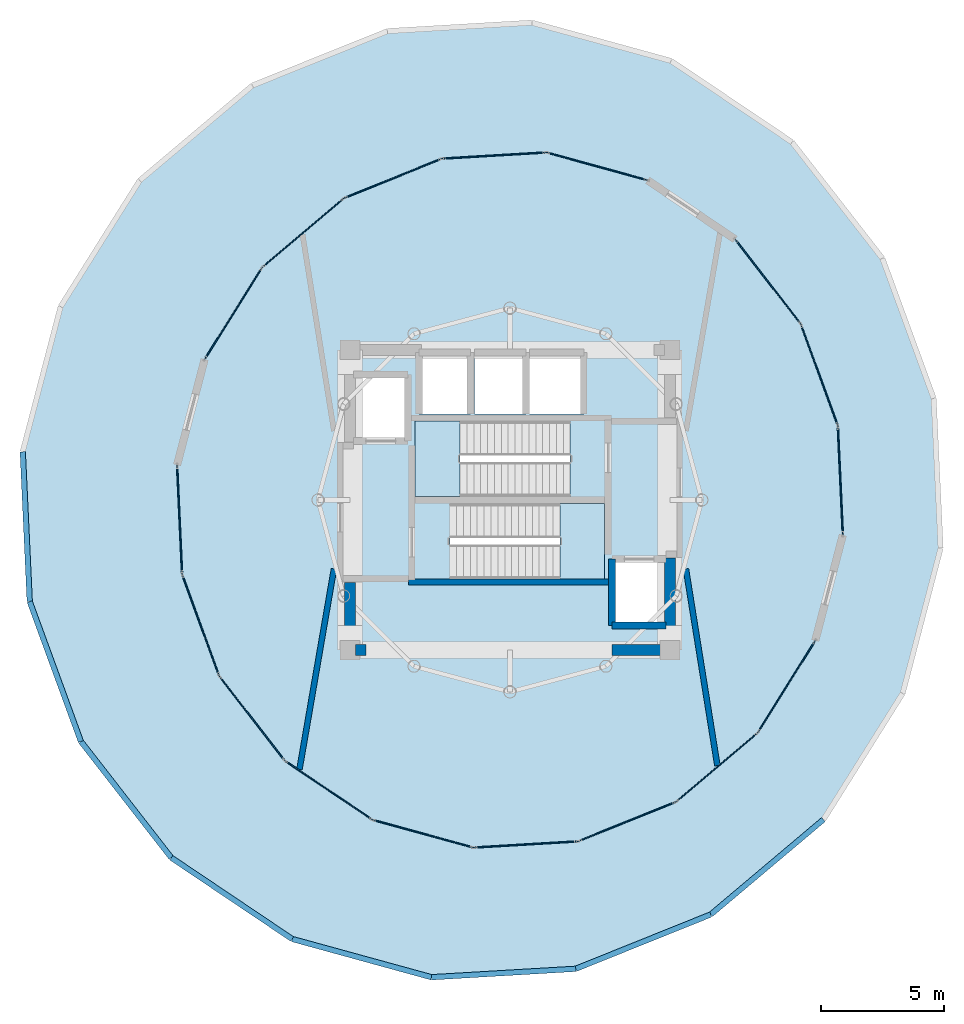
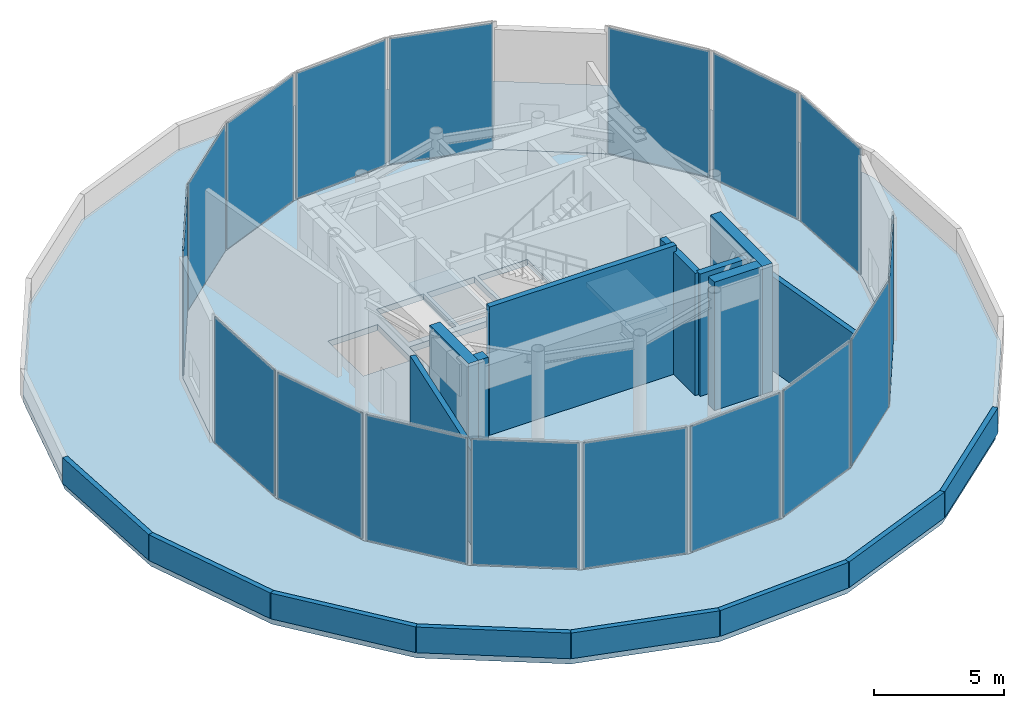
# One storey, part 9 of 12: 17 plates, 17 walls, 4 slabs, 19 elements without a shape of their own.
"""IFC4 building model written with IfcOpenShell, lengths in metres."""

import ifcopenshell
import ifcopenshell.guid

model = None  # the IFC model being written
_history = None  # IfcOwnerHistory: only IFC2X3 demands one
_inside = {}  # id of a spatial element -> (the spatial element, [elements in it])
_under = {}  # id of a project, library or spatial element -> (it, [spatial elements below it])
_declared = {}  # id of a project -> (the project, [libraries it declares])
_typed = {}  # id of a type object -> (the type object, [elements of that type])
_made_of = {}  # id of a material, layer set ... -> (it, [elements and type objects made of it])


def new_model(schema):
    """Start an empty IFC model of exactly this schema.

    Asked for "IFC4X3", IfcOpenShell would pick the latest addendum, in which some entities
    have other attributes; the version numbers below select the first issue.
    IFC2X3 requires an IfcOwnerHistory on every rooted entity: one is made here for all.
    """
    global model, _history
    if schema == "IFC4X3":
        model = ifcopenshell.file(schema_version=(4, 3, 0, 0))
    else:
        model = ifcopenshell.file(schema=schema)
    _inside.clear()
    _under.clear()
    _declared.clear()
    _typed.clear()
    _made_of.clear()
    _history = None
    if model.schema == "IFC2X3":
        org = make("IfcOrganization", Name="unknown")
        user = make(
            "IfcPersonAndOrganization",
            ThePerson=make("IfcPerson", FamilyName="unknown"),
            TheOrganization=org,
        )
        app = make(
            "IfcApplication",
            ApplicationDeveloper=org,
            Version="unknown",
            ApplicationFullName="unknown",
            ApplicationIdentifier="unknown",
        )
        _history = make(
            "IfcOwnerHistory",
            OwningUser=user,
            OwningApplication=app,
            ChangeAction="ADDED",
            CreationDate=0,
        )
    return model


def make(cls, **values):
    """One entity of the class cls with the attributes given. An attribute that is None is left unset."""
    return model.create_entity(
        cls, **{name: value for name, value in values.items() if value is not None}
    )


def rooted(cls, **values):
    """An entity with a GlobalId (a new one), such as an element, a storey or a relation."""
    return make(cls, GlobalId=ifcopenshell.guid.new(), OwnerHistory=_history, **values)


def si_unit(unit_type, name, prefix=None):
    """IfcSIUnit, for example si_unit("LENGTHUNIT", "METRE", prefix="MILLI")."""
    return make("IfcSIUnit", UnitType=unit_type, Prefix=prefix, Name=name)


def assignment(units):
    """IfcUnitAssignment: the units of a project."""
    return None if units is None else make("IfcUnitAssignment", Units=units)


def point(xyz):
    """IfcCartesianPoint."""
    return None if xyz is None else make("IfcCartesianPoint", Coordinates=xyz)


def direction(xyz):
    """IfcDirection."""
    return None if xyz is None else make("IfcDirection", DirectionRatios=xyz)


def frame(location, z_axis=None, x_axis=None):
    """IfcAxis2Placement3D, a coordinate frame: its origin and axes. An axis left out is left unset."""
    return make(
        "IfcAxis2Placement3D",
        Location=point(location),
        Axis=direction(z_axis),
        RefDirection=direction(x_axis),
    )


def frame_2d(location, x_axis=None):
    """IfcAxis2Placement2D, a coordinate frame in the plane: its origin and x axis."""
    return make(
        "IfcAxis2Placement2D", Location=point(location), RefDirection=direction(x_axis)
    )


def origin():
    """The frame at (0, 0, 0) with its axes left unset."""
    return frame((0.0, 0.0, 0.0))


def origin_2d():
    """The frame at (0, 0) in the plane with its x axis left unset."""
    return frame_2d((0.0, 0.0))


def place(relative_to, where):
    """IfcLocalPlacement: puts the frame where relative to a parent placement (None: the world)."""
    return make(
        "IfcLocalPlacement", PlacementRelTo=relative_to, RelativePlacement=where
    )


def context(
    kind, dimensions, precision=None, world=None, true_north=None, identifier=None
):
    """IfcGeometricRepresentationContext, for example the 3D "Model" context."""
    return make(
        "IfcGeometricRepresentationContext",
        ContextIdentifier=identifier,
        ContextType=kind,
        CoordinateSpaceDimension=dimensions,
        Precision=precision,
        WorldCoordinateSystem=world,
        TrueNorth=true_north,
    )


def subcontext(parent, identifier, kind, view, scale=None):
    """IfcGeometricRepresentationSubContext, for example "Body" below "Model"."""
    return make(
        "IfcGeometricRepresentationSubContext",
        ContextIdentifier=identifier,
        ContextType=kind,
        ParentContext=parent,
        TargetScale=scale,
        TargetView=view,
    )


def project(units=None, contexts=None):
    """IfcProject with its units and contexts."""
    return rooted(
        "IfcProject",
        Name="project",
        RepresentationContexts=contexts,
        UnitsInContext=assignment(units),
    )


def spatial(cls, under=None, at=None, **own):
    """A site, building, storey or space (cls), placed at a placement, below another one or the project."""
    s = rooted(cls, ObjectPlacement=at, **own)
    if under is not None:
        _under.setdefault(under.id(), (under, []))[1].append(s)
    return s


def polyline(points):
    """IfcPolyline through the points."""
    return make("IfcPolyline", Points=[point(p) for p in points])


def profile(cls, at=None, kind="AREA", **sizes):
    """A parametric profile (cls). Its sizes go by their IFC names, for example OverallWidth=200.0."""
    return make(cls, ProfileType=kind, Position=at, **sizes)


def rectangle(**sizes):
    """IfcRectangleProfileDef."""
    return profile("IfcRectangleProfileDef", **sizes)


def outline(outer, holes=None, kind="AREA"):
    """IfcArbitraryClosedProfileDef: a profile drawn as a closed curve; with holes, ...WithVoids."""
    if holes is None:
        return make("IfcArbitraryClosedProfileDef", ProfileType=kind, OuterCurve=outer)
    return make(
        "IfcArbitraryProfileDefWithVoids",
        ProfileType=kind,
        OuterCurve=outer,
        InnerCurves=holes,
    )


def extrude(swept, where, along, depth):
    """IfcExtrudedAreaSolid: the profile swept, set in the frame where, extruded along a direction by depth."""
    return make(
        "IfcExtrudedAreaSolid",
        SweptArea=swept,
        Position=where,
        ExtrudedDirection=direction(along),
        Depth=depth,
    )


def shape(context_of_items, identifier, shape_type, items):
    """IfcShapeRepresentation: the items that make up one representation, for example the "Body"."""
    return make(
        "IfcShapeRepresentation",
        ContextOfItems=context_of_items,
        RepresentationIdentifier=identifier,
        RepresentationType=shape_type,
        Items=items,
    )


def source(mapping_origin, context_of_items, identifier, shape_type, items):
    """IfcRepresentationMap: a shape defined once, which mapped items show again and again."""
    return make(
        "IfcRepresentationMap",
        MappingOrigin=mapping_origin,
        MappedRepresentation=shape(context_of_items, identifier, shape_type, items),
    )


def transform(
    local_origin,
    x_axis=None,
    y_axis=None,
    z_axis=None,
    scale=None,
    scale2=None,
    scale3=None,
    uniform=True,
):
    """IfcCartesianTransformationOperator3D, or its non-uniform kind. x_axis, y_axis, z_axis: its Axis1, 2, 3."""
    if uniform:
        return make(
            "IfcCartesianTransformationOperator3D",
            Axis1=direction(x_axis),
            Axis2=direction(y_axis),
            LocalOrigin=point(local_origin),
            Scale=scale,
            Axis3=direction(z_axis),
        )
    return make(
        "IfcCartesianTransformationOperator3DnonUniform",
        Axis1=direction(x_axis),
        Axis2=direction(y_axis),
        LocalOrigin=point(local_origin),
        Scale=scale,
        Axis3=direction(z_axis),
        Scale2=scale2,
        Scale3=scale3,
    )


def mapped(mapping_source, mapping_target):
    """IfcMappedItem: shows the shape of a source again, moved by a transform."""
    return make(
        "IfcMappedItem", MappingSource=mapping_source, MappingTarget=mapping_target
    )


def material(Name=None, Category=None):
    """IfcMaterial."""
    return make("IfcMaterial", Name=Name, Category=Category)


def layer(
    of_material, thickness, ventilated=None, Name=None, Category=None, Priority=None
):
    """IfcMaterialLayer: one layer of a wall or slab, of a material (None: an air gap)."""
    return make(
        "IfcMaterialLayer",
        Material=of_material,
        LayerThickness=thickness,
        IsVentilated=ventilated,
        Name=Name,
        Category=Category,
        Priority=Priority,
    )


def layer_set(layers, Name=None):
    """IfcMaterialLayerSet."""
    return make("IfcMaterialLayerSet", MaterialLayers=layers, LayerSetName=Name)


def made_of(thing, what):
    """Note that an element or type object is made of a material, layer set ...; save() writes the relation."""
    if what is not None:
        _made_of.setdefault(what.id(), (what, []))[1].append(thing)
    return thing


def type_object(cls, material=None, **own):
    """A type object (cls), such as IfcWallType, which elements share."""
    return made_of(rooted(cls, **own), material)


def element(
    cls,
    number,
    at=None,
    inside=None,
    cuts=None,
    type_object=None,
    material=None,
    context=None,
    identifier="Body",
    shape_type=None,
    held_by="IfcProductDefinitionShape",
    body=None,
    shapes=None,
    **own,
):
    """One element of the class cls, such as IfcWall. Its Tag is "e" and its number.

    at: its placement. inside: the storey or other place that contains it. cuts: it is an
    opening in that element (IfcRelVoidsElement). A single representation is given by context,
    identifier, shape_type and body (its items); several are given by shapes. held_by: the class
    of the entity that holds the representations. save() writes the other relations.
    """
    e = rooted(cls, Tag="e%d" % number, ObjectPlacement=at, **own)
    if body is not None:
        shapes = [shape(context, identifier, shape_type, body)]
    if shapes is not None:
        e.Representation = make(held_by, Representations=shapes)
    if inside is not None:
        _inside.setdefault(inside.id(), (inside, []))[1].append(e)
    if cuts is not None:
        rooted(
            "IfcRelVoidsElement", RelatingBuildingElement=cuts, RelatedOpeningElement=e
        )
    if type_object is not None:
        _typed.setdefault(type_object.id(), (type_object, []))[1].append(e)
    return made_of(e, material)


def aggregate(whole, parts):
    """IfcRelAggregates: a whole, such as a stair, and the parts it consists of."""
    return rooted("IfcRelAggregates", RelatingObject=whole, RelatedObjects=parts)


def save(model, path):
    """Write the relations noted so far, then the file.

    IfcRelAggregates (storeys below a building ...), IfcRelContainedInSpatialStructure (elements
    in a storey), IfcRelDefinesByType, IfcRelAssociatesMaterial and IfcRelDeclares: one each for
    every whole, place, type object, material and project.
    """
    for whole, parts in _under.values():
        aggregate(whole, parts)
    for where, things in _inside.values():
        rooted(
            "IfcRelContainedInSpatialStructure",
            RelatedElements=things,
            RelatingStructure=where,
        )
    for kind, things in _typed.values():
        rooted("IfcRelDefinesByType", RelatedObjects=things, RelatingType=kind)
    for what, things in _made_of.values():
        rooted("IfcRelAssociatesMaterial", RelatedObjects=things, RelatingMaterial=what)
    for by, libraries in _declared.values():
        rooted("IfcRelDeclares", RelatingContext=by, RelatedDefinitions=libraries)
    model.write(path)


model = new_model("IFC4")

# Units and contexts
model_context = context("Model", 3, precision=1e-05, world=origin(), true_north=direction((0.0, 1.0)))
body_context = subcontext(model_context, "Body", "Model", "MODEL_VIEW")
ifc_project = project(units=[si_unit("LENGTHUNIT", "METRE"), si_unit("AREAUNIT", "SQUARE_METRE"), si_unit("VOLUMEUNIT", "CUBIC_METRE"), si_unit("PLANEANGLEUNIT", "RADIAN"), si_unit("MASSUNIT", "GRAM", prefix="KILO")], contexts=[model_context])

# Site, building, storey
site_placement = place(None, origin())
site = spatial("IfcSite", under=ifc_project, at=site_placement, CompositionType="ELEMENT")
building_placement = place(site_placement, origin())
building = spatial("IfcBuilding", under=site, at=building_placement, Name="Solvirekh Grand Hotel", CompositionType="ELEMENT")
storey_placement = place(building_placement, frame((0.0, 0.0, 302.199951171875)))
storey = spatial("IfcBuildingStorey", under=building, at=storey_placement, Name="L78", CompositionType="ELEMENT", Elevation=302.199951171875)

# Stair, slab
ifc_material_1 = material(Name="Concrete C40/50", Category="concrete")
stair_type = type_object("IfcStairType", Name="Stair_Core_1450", PredefinedType="HALF_TURN_STAIR", material=ifc_material_1)
stair_1_placement = place(storey_placement, origin())
stair_1 = element("IfcStair", 1, at=stair_1_placement, inside=storey, type_object=stair_type, Name="L78 Enclosed exit stair ST-1", PredefinedType="HALF_TURN_STAIR")
ifc_layer_1 = layer(ifc_material_1, 0.199951171875)
ifc_layer_set_1 = layer_set([ifc_layer_1], Name="Concrete C40/50")
slab_type_1 = type_object("IfcSlabType", Name="Landing_Stair_200", PredefinedType="LANDING", material=ifc_layer_set_1)
slab_1_placement = place(storey_placement, frame((0.0, 0.0, 2.800048828125)))
slab_1 = element("IfcSlab", 2, at=slab_1_placement, type_object=slab_type_1, Name="ST-1 landing 1", PredefinedType="LANDING", context=body_context, shape_type="SweptSolid", body=[
    extrude(outline(polyline([(2.030029296875, -3.199951171875), (3.85009765625, -3.199951171875), (3.85009765625, -0.14990234375), (2.030029296875, -0.14990234375), (2.030029296875, -3.199951171875)])), origin(), (0.0, 0.0, 1.0), 0.199951171875),
])
aggregate(stair_1, [slab_1])

stair_2_placement = place(storey_placement, origin())
stair_2 = element("IfcStair", 3, at=stair_2_placement, inside=storey, type_object=stair_type, Name="L78 Enclosed exit stair ST-2", PredefinedType="HALF_TURN_STAIR")
slab_2_placement = place(storey_placement, frame((0.0, 0.0, 2.800048828125)))
slab_2 = element("IfcSlab", 4, at=slab_2_placement, type_object=slab_type_1, Name="ST-2 landing 1", PredefinedType="LANDING", context=body_context, shape_type="SweptSolid", body=[
    extrude(outline(polyline([(-2.030029296875, 3.199951171875), (-3.85009765625, 3.199951171875), (-3.85009765625, 0.14990234375), (-2.030029296875, 0.14990234375), (-2.030029296875, 3.199951171875)])), origin(), (0.0, 0.0, 1.0), 0.199951171875),
])
aggregate(stair_2, [slab_2])

# Slabs
ifc_material_2 = material(Name="Concrete C50/60", Category="concrete")
ifc_layer_2 = layer(ifc_material_2, 0.320068359375)
ifc_layer_set_2 = layer_set([ifc_layer_2], Name="Concrete C50/60")
slab_type_2 = type_object("IfcSlabType", Name="RoofSlab_Podium_320", PredefinedType="ROOF", material=ifc_layer_set_2)
slab_3_placement = place(storey_placement, frame((0.0, 0.0, -0.320068359375)))
element("IfcSlab", 5, at=slab_3_placement, inside=storey, type_object=slab_type_2, Name="L78 crown plant maintenance roof cap", PredefinedType="ROOF", context=body_context, shape_type="SweptSolid", body=[
    extrude(outline(polyline([(-3.18798828125, -19.39306640625), (2.674072265625, -19.050048828125), (8.162109375, -16.841064453125), (12.738037109375, -12.985107421875), (15.955078125, -7.85693359375), (17.4970703125, -1.9599609375), (17.214111328125, 4.12890625), (15.134033203125, 9.81298828125), (11.4599609375, 14.537109375), (6.551025390625, 17.837890625), (0.887939453125, 19.39306640625), (-4.97412109375, 19.050048828125), (-10.4619140625, 16.841064453125), (-15.0380859375, 12.985107421875), (-18.2548828125, 7.85693359375), (-19.797119140625, 1.9599609375), (-19.513916015625, -4.12890625), (-17.43408203125, -9.81298828125), (-13.760009765625, -14.537109375), (-8.85107421875, -17.837890625), (-3.18798828125, -19.39306640625)]), holes=[polyline([(-5.591064453125, -12.991943359375), (-9.15087890625, -10.590087890625), (-11.81494140625, -7.15087890625), (-13.322021484375, -3.011962890625), (-13.52490234375, 1.422119140625), (-12.405029296875, 5.716064453125), (-10.070068359375, 9.450927734375), (-6.7490234375, 12.260986328125), (-2.76806640625, 13.8701171875), (1.48388671875, 14.1220703125), (5.591064453125, 12.991943359375), (9.15087890625, 10.590087890625), (11.81494140625, 7.15087890625), (13.322021484375, 3.011962890625), (13.52490234375, -1.422119140625), (12.405029296875, -5.716064453125), (10.070068359375, -9.450927734375), (6.7490234375, -12.260986328125), (2.76806640625, -13.8701171875), (-1.48388671875, -14.1220703125), (-5.591064453125, -12.991943359375)])]), origin(), (0.0, 0.0, 1.0), 0.320068359375),
])
ifc_layer_3 = layer(ifc_material_1, 0.280029296875)
ifc_layer_set_3 = layer_set([ifc_layer_3], Name="Concrete C40/50")
slab_type_3 = type_object("IfcSlabType", Name="Slab_Crown_280", PredefinedType="FLOOR", material=ifc_layer_set_3)
slab_4_placement = place(storey_placement, frame((0.0, 0.0, -0.280029296875)))
element("IfcSlab", 6, at=slab_4_placement, inside=storey, type_object=slab_type_3, Name="L78 structural floor slab", PredefinedType="FLOOR", context=body_context, shape_type="SweptSolid", body=[
    extrude(outline(polyline([(-1.48388671875, -14.1220703125), (2.76806640625, -13.8701171875), (6.7490234375, -12.260986328125), (10.070068359375, -9.450927734375), (12.405029296875, -5.716064453125), (13.52490234375, -1.422119140625), (13.322021484375, 3.011962890625), (11.81494140625, 7.15087890625), (9.15087890625, 10.590087890625), (5.591064453125, 12.991943359375), (1.48388671875, 14.1220703125), (-2.76806640625, 13.8701171875), (-6.7490234375, 12.260986328125), (-10.070068359375, 9.450927734375), (-12.405029296875, 5.716064453125), (-13.52490234375, 1.422119140625), (-13.322021484375, -3.011962890625), (-11.81494140625, -7.15087890625), (-9.15087890625, -10.590087890625), (-5.591064453125, -12.991943359375), (-1.48388671875, -14.1220703125)]), holes=[polyline([(-2.444091796875, -0.14990234375), (3.85009765625, -0.14990234375), (3.85009765625, -3.199951171875), (-2.444091796875, -3.199951171875), (-2.444091796875, -0.14990234375)]), polyline([(2.444091796875, 0.14990234375), (-3.85009765625, 0.14990234375), (-3.85009765625, 3.199951171875), (2.444091796875, 3.199951171875), (2.444091796875, 0.14990234375)]), polyline([(-3.699951171875, 6.0), (-1.60009765625, 6.0), (-1.60009765625, 3.5), (-3.699951171875, 3.5), (-3.699951171875, 6.0)]), polyline([(-1.449951171875, 6.0), (0.64990234375, 6.0), (0.64990234375, 3.5), (-1.449951171875, 3.5), (-1.449951171875, 6.0)]), polyline([(0.800048828125, 6.0), (3.0, 6.0), (3.0, 3.5), (0.800048828125, 3.5), (0.800048828125, 6.0)]), polyline([(-6.35009765625, 5.10009765625), (-4.14990234375, 5.10009765625), (-4.14990234375, 2.39990234375), (-6.35009765625, 2.39990234375), (-6.35009765625, 5.10009765625)]), polyline([(4.14990234375, -2.39990234375), (6.35009765625, -2.39990234375), (6.35009765625, -5.10009765625), (4.14990234375, -5.10009765625), (4.14990234375, -2.39990234375)])]), origin(), (0.0, 0.0, 1.0), 0.280029296875),
])

# Curtain wall, plate
ifc_material_3 = material(Name="Anodized Bronze Aluminium 6063-T6", Category="aluminium")
ifc_layer_4 = layer(ifc_material_3, 0.219970703125)
ifc_layer_set_4 = layer_set([ifc_layer_4], Name="Anodized Bronze Aluminium 6063-T6")
curtain_wall_type = type_object("IfcCurtainWallType", Name="CW_Sys6_CrownFacetedPointCW", PredefinedType="NOTDEFINED", material=ifc_layer_set_4)
curtain_wall_1_placement = place(storey_placement, origin())
curtain_wall_1 = element("IfcCurtainWall", 7, at=curtain_wall_1_placement, inside=storey, type_object=curtain_wall_type, Name="L78 unitised bronze-glass curtain wall CW-L78-C01", PredefinedType="NOTDEFINED")
ifc_material_4 = material(Name="Champagne Low-Iron Crown Laminated Glass", Category="glass")
ifc_layer_5 = layer(ifc_material_4, 0.0458984375)
ifc_layer_set_5 = layer_set([ifc_layer_5], Name="Champagne Low-Iron Crown Laminated Glass")
plate_type = type_object("IfcPlateType", Name="CWPanel_Crown_46", PredefinedType="CURTAIN_PANEL", material=ifc_layer_set_5)
shared_shape_1 = source(origin(), body_context, "Body", "SweptSolid", [
    extrude(rectangle(XDim=4.109375, YDim=0.0458984375, at=origin_2d()), origin(), (0.0, 0.0, 1.0), 5.8701171875),
])
plate_1_placement = place(storey_placement, frame((0.64208984375, -13.99609375, 0.06494140625), z_axis=(0.0, 0.0, 1.0), x_axis=(0.998248370213, 0.059162415163, 0.0)))
plate_1 = element("IfcPlate", 8, at=plate_1_placement, type_object=plate_type, Name="U06 panel 1.1", PredefinedType="CURTAIN_PANEL", context=body_context, shape_type="MappedRepresentation", body=[
    mapped(shared_shape_1, transform((0.0, 0.0, 0.0), x_axis=(1.0, 0.0, 0.0), y_axis=(0.0, 1.0, 0.0), z_axis=(0.0, 0.0, 1.0), scale=1.0)),
])
aggregate(curtain_wall_1, [plate_1])

curtain_wall_2_placement = place(storey_placement, origin())
curtain_wall_2 = element("IfcCurtainWall", 9, at=curtain_wall_2_placement, inside=storey, type_object=curtain_wall_type, Name="L78 unitised bronze-glass curtain wall CW-L78-C11", PredefinedType="NOTDEFINED")
plate_2_placement = place(storey_placement, frame((-0.64208984375, 13.99609375, 0.06494140625), z_axis=(0.0, 0.0, 1.0), x_axis=(-0.998248370213, -0.059162415163, 0.0)))
plate_2 = element("IfcPlate", 10, at=plate_2_placement, type_object=plate_type, Name="U06 panel 1.1", PredefinedType="CURTAIN_PANEL", context=body_context, shape_type="MappedRepresentation", body=[
    mapped(shared_shape_1, transform((0.0, 0.0, 0.0), x_axis=(1.0, 0.0, 0.0), y_axis=(0.0, 1.0, 0.0), z_axis=(0.0, 0.0, 1.0), scale=1.0)),
])
aggregate(curtain_wall_2, [plate_2])

curtain_wall_3_placement = place(storey_placement, origin())
curtain_wall_3 = element("IfcCurtainWall", 11, at=curtain_wall_3_placement, inside=storey, type_object=curtain_wall_type, Name="L78 unitised bronze-glass curtain wall CW-L78-C02", PredefinedType="NOTDEFINED")
shared_shape_2 = source(origin(), body_context, "Body", "SweptSolid", [
    extrude(rectangle(XDim=4.143798828125, YDim=0.0458984375, at=origin_2d()), origin(), (0.0, 0.0, 1.0), 5.8701171875),
])
plate_3_placement = place(storey_placement, frame((4.758544921875, -13.0654296875, 0.06494140625), z_axis=(0.0, 0.0, 1.0), x_axis=(0.92713761135, 0.374721029061, 0.0)))
plate_3 = element("IfcPlate", 12, at=plate_3_placement, type_object=plate_type, Name="U06 panel 1.1", PredefinedType="CURTAIN_PANEL", context=body_context, shape_type="MappedRepresentation", body=[
    mapped(shared_shape_2, transform((0.0, 0.0, 0.0), x_axis=(1.0, 0.0, 0.0), y_axis=(0.0, 1.0, 0.0), z_axis=(0.0, 0.0, 1.0), scale=1.0)),
])
aggregate(curtain_wall_3, [plate_3])

curtain_wall_4_placement = place(storey_placement, origin())
curtain_wall_4 = element("IfcCurtainWall", 13, at=curtain_wall_4_placement, inside=storey, type_object=curtain_wall_type, Name="L78 unitised bronze-glass curtain wall CW-L78-C12", PredefinedType="NOTDEFINED")
plate_4_placement = place(storey_placement, frame((-4.758544921875, 13.0654296875, 0.06494140625), z_axis=(0.0, 0.0, 1.0), x_axis=(-0.92713761135, -0.374721029061, 0.0)))
plate_4 = element("IfcPlate", 14, at=plate_4_placement, type_object=plate_type, Name="U06 panel 1.1", PredefinedType="CURTAIN_PANEL", context=body_context, shape_type="MappedRepresentation", body=[
    mapped(shared_shape_2, transform((0.0, 0.0, 0.0), x_axis=(1.0, 0.0, 0.0), y_axis=(0.0, 1.0, 0.0), z_axis=(0.0, 0.0, 1.0), scale=1.0)),
])
aggregate(curtain_wall_4, [plate_4])

curtain_wall_5_placement = place(storey_placement, origin())
curtain_wall_5 = element("IfcCurtainWall", 15, at=curtain_wall_5_placement, inside=storey, type_object=curtain_wall_type, Name="L78 unitised bronze-glass curtain wall CW-L78-C03", PredefinedType="NOTDEFINED")
shared_shape_3 = source(origin(), body_context, "Body", "SweptSolid", [
    extrude(rectangle(XDim=4.2001953125, YDim=0.0458984375, at=origin_2d()), origin(), (0.0, 0.0, 1.0), 5.8701171875),
])
plate_5_placement = place(storey_placement, frame((8.409423828125, -10.85595703125, 0.06494140625), z_axis=(0.0, 0.0, 1.0), x_axis=(0.763395004474, 0.645931936928, 0.0)))
plate_5 = element("IfcPlate", 16, at=plate_5_placement, type_object=plate_type, Name="U06 panel 1.1", PredefinedType="CURTAIN_PANEL", context=body_context, shape_type="MappedRepresentation", body=[
    mapped(shared_shape_3, transform((0.0, 0.0, 0.0), x_axis=(1.0, 0.0, 0.0), y_axis=(0.0, 1.0, 0.0), z_axis=(0.0, 0.0, 1.0), scale=1.0)),
])
aggregate(curtain_wall_5, [plate_5])

curtain_wall_6_placement = place(storey_placement, origin())
curtain_wall_6 = element("IfcCurtainWall", 17, at=curtain_wall_6_placement, inside=storey, type_object=curtain_wall_type, Name="L78 unitised bronze-glass curtain wall CW-L78-C08", PredefinedType="NOTDEFINED")
plate_6_placement = place(storey_placement, frame((10.48291015625, 8.87060546875, 0.06494140625), z_axis=(0.0, 0.0, 1.0), x_axis=(-0.612395718434, 0.790551379762, 0.0)))
plate_6 = element("IfcPlate", 18, at=plate_6_placement, type_object=plate_type, Name="U06 panel 1.1", PredefinedType="CURTAIN_PANEL", context=body_context, shape_type="MappedRepresentation", body=[
    mapped(shared_shape_3, transform((0.0, 0.0, 0.0), x_axis=(1.0, 0.0, 0.0), y_axis=(0.0, 1.0, 0.0), z_axis=(0.0, 0.0, 1.0), scale=1.0)),
])
aggregate(curtain_wall_6, [plate_6])

curtain_wall_7_placement = place(storey_placement, origin())
curtain_wall_7 = element("IfcCurtainWall", 19, at=curtain_wall_7_placement, inside=storey, type_object=curtain_wall_type, Name="L78 unitised bronze-glass curtain wall CW-L78-C13", PredefinedType="NOTDEFINED")
plate_7_placement = place(storey_placement, frame((-8.409423828125, 10.85595703125, 0.06494140625), z_axis=(0.0, 0.0, 1.0), x_axis=(-0.763395004474, -0.645931936928, 0.0)))
plate_7 = element("IfcPlate", 20, at=plate_7_placement, type_object=plate_type, Name="U06 panel 1.1", PredefinedType="CURTAIN_PANEL", context=body_context, shape_type="MappedRepresentation", body=[
    mapped(shared_shape_3, transform((0.0, 0.0, 0.0), x_axis=(1.0, 0.0, 0.0), y_axis=(0.0, 1.0, 0.0), z_axis=(0.0, 0.0, 1.0), scale=1.0)),
])
aggregate(curtain_wall_7, [plate_7])

curtain_wall_8_placement = place(storey_placement, origin())
curtain_wall_8 = element("IfcCurtainWall", 21, at=curtain_wall_8_placement, inside=storey, type_object=curtain_wall_type, Name="L78 unitised bronze-glass curtain wall CW-L78-C18", PredefinedType="NOTDEFINED")
plate_8_placement = place(storey_placement, frame((-10.48291015625, -8.87060546875, 0.06494140625), z_axis=(0.0, 0.0, 1.0), x_axis=(0.612395718434, -0.790551379762, 0.0)))
plate_8 = element("IfcPlate", 22, at=plate_8_placement, type_object=plate_type, Name="U06 panel 1.1", PredefinedType="CURTAIN_PANEL", context=body_context, shape_type="MappedRepresentation", body=[
    mapped(shared_shape_3, transform((0.0, 0.0, 0.0), x_axis=(1.0, 0.0, 0.0), y_axis=(0.0, 1.0, 0.0), z_axis=(0.0, 0.0, 1.0), scale=1.0)),
])
aggregate(curtain_wall_8, [plate_8])

curtain_wall_9_placement = place(storey_placement, origin())
curtain_wall_9 = element("IfcCurtainWall", 23, at=curtain_wall_9_placement, inside=storey, type_object=curtain_wall_type, Name="L78 unitised bronze-glass curtain wall CW-L78-C04", PredefinedType="NOTDEFINED")
shared_shape_4 = source(origin(), body_context, "Body", "SweptSolid", [
    extrude(rectangle(XDim=4.2548828125, YDim=0.0458984375, at=origin_2d()), origin(), (0.0, 0.0, 1.0), 5.8701171875),
])
plate_9_placement = place(storey_placement, frame((11.237548828125, -7.58349609375, 0.06494140625), z_axis=(0.0, 0.0, 1.0), x_axis=(0.530100969405, 0.847934527093, 0.0)))
plate_9 = element("IfcPlate", 24, at=plate_9_placement, type_object=plate_type, Name="U06 panel 1.1", PredefinedType="CURTAIN_PANEL", context=body_context, shape_type="MappedRepresentation", body=[
    mapped(shared_shape_4, transform((0.0, 0.0, 0.0), x_axis=(1.0, 0.0, 0.0), y_axis=(0.0, 1.0, 0.0), z_axis=(0.0, 0.0, 1.0), scale=1.0)),
])
aggregate(curtain_wall_9, [plate_9])

curtain_wall_10_placement = place(storey_placement, origin())
curtain_wall_10 = element("IfcCurtainWall", 25, at=curtain_wall_10_placement, inside=storey, type_object=curtain_wall_type, Name="L78 unitised bronze-glass curtain wall CW-L78-C07", PredefinedType="NOTDEFINED")
plate_10_placement = place(storey_placement, frame((12.568603515625, 5.08154296875, 0.06494140625), z_axis=(0.0, 0.0, 1.0), x_axis=(-0.342125827763, 0.939654148066, 0.0)))
plate_10 = element("IfcPlate", 26, at=plate_10_placement, type_object=plate_type, Name="U06 panel 1.1", PredefinedType="CURTAIN_PANEL", context=body_context, shape_type="MappedRepresentation", body=[
    mapped(shared_shape_4, transform((0.0, 0.0, 0.0), x_axis=(1.0, 0.0, 0.0), y_axis=(0.0, 1.0, 0.0), z_axis=(0.0, 0.0, 1.0), scale=1.0)),
])
aggregate(curtain_wall_10, [plate_10])

curtain_wall_11_placement = place(storey_placement, origin())
curtain_wall_11 = element("IfcCurtainWall", 27, at=curtain_wall_11_placement, inside=storey, type_object=curtain_wall_type, Name="L78 unitised bronze-glass curtain wall CW-L78-C14", PredefinedType="NOTDEFINED")
plate_11_placement = place(storey_placement, frame((-11.237548828125, 7.58349609375, 0.06494140625), z_axis=(0.0, 0.0, 1.0), x_axis=(-0.530100969405, -0.847934527093, 0.0)))
plate_11 = element("IfcPlate", 28, at=plate_11_placement, type_object=plate_type, Name="U06 panel 1.1", PredefinedType="CURTAIN_PANEL", context=body_context, shape_type="MappedRepresentation", body=[
    mapped(shared_shape_4, transform((0.0, 0.0, 0.0), x_axis=(1.0, 0.0, 0.0), y_axis=(0.0, 1.0, 0.0), z_axis=(0.0, 0.0, 1.0), scale=1.0)),
])
aggregate(curtain_wall_11, [plate_11])

curtain_wall_12_placement = place(storey_placement, origin())
curtain_wall_12 = element("IfcCurtainWall", 29, at=curtain_wall_12_placement, inside=storey, type_object=curtain_wall_type, Name="L78 unitised bronze-glass curtain wall CW-L78-C17", PredefinedType="NOTDEFINED")
plate_12_placement = place(storey_placement, frame((-12.568603515625, -5.08154296875, 0.06494140625), z_axis=(0.0, 0.0, 1.0), x_axis=(0.342125827763, -0.939654148066, 0.0)))
plate_12 = element("IfcPlate", 30, at=plate_12_placement, type_object=plate_type, Name="U06 panel 1.1", PredefinedType="CURTAIN_PANEL", context=body_context, shape_type="MappedRepresentation", body=[
    mapped(shared_shape_4, transform((0.0, 0.0, 0.0), x_axis=(1.0, 0.0, 0.0), y_axis=(0.0, 1.0, 0.0), z_axis=(0.0, 0.0, 1.0), scale=1.0)),
])
aggregate(curtain_wall_12, [plate_12])

curtain_wall_13_placement = place(storey_placement, origin())
curtain_wall_13 = element("IfcCurtainWall", 31, at=curtain_wall_13_placement, inside=storey, type_object=curtain_wall_type, Name="L78 unitised bronze-glass curtain wall CW-L78-C06", PredefinedType="NOTDEFINED")
shared_shape_5 = source(origin(), body_context, "Body", "SweptSolid", [
    extrude(rectangle(XDim=4.28857421875, YDim=0.0458984375, at=origin_2d()), origin(), (0.0, 0.0, 1.0), 5.8701171875),
])
plate_13_placement = place(storey_placement, frame((13.423583984375, 0.794921875, 0.06494140625), z_axis=(0.0, 0.0, 1.0), x_axis=(-0.045734683194, 0.998953621923, 0.0)))
plate_13 = element("IfcPlate", 32, at=plate_13_placement, type_object=plate_type, Name="U06 panel 1.1", PredefinedType="CURTAIN_PANEL", context=body_context, shape_type="MappedRepresentation", body=[
    mapped(shared_shape_5, transform((0.0, 0.0, 0.0), x_axis=(1.0, 0.0, 0.0), y_axis=(0.0, 1.0, 0.0), z_axis=(0.0, 0.0, 1.0), scale=1.0)),
])
aggregate(curtain_wall_13, [plate_13])

curtain_wall_14_placement = place(storey_placement, origin())
curtain_wall_14 = element("IfcCurtainWall", 33, at=curtain_wall_14_placement, inside=storey, type_object=curtain_wall_type, Name="L78 unitised bronze-glass curtain wall CW-L78-C16", PredefinedType="NOTDEFINED")
plate_14_placement = place(storey_placement, frame((-13.423583984375, -0.794921875, 0.06494140625), z_axis=(0.0, 0.0, 1.0), x_axis=(0.045734683194, -0.998953621923, 0.0)))
plate_14 = element("IfcPlate", 34, at=plate_14_placement, type_object=plate_type, Name="U06 panel 1.1", PredefinedType="CURTAIN_PANEL", context=body_context, shape_type="MappedRepresentation", body=[
    mapped(shared_shape_5, transform((0.0, 0.0, 0.0), x_axis=(1.0, 0.0, 0.0), y_axis=(0.0, 1.0, 0.0), z_axis=(0.0, 0.0, 1.0), scale=1.0)),
])
aggregate(curtain_wall_14, [plate_14])

curtain_wall_15_placement = place(storey_placement, origin())
curtain_wall_15 = element("IfcCurtainWall", 35, at=curtain_wall_15_placement, inside=storey, type_object=curtain_wall_type, Name="L78 unitised bronze-glass curtain wall CW-L78-C10", PredefinedType="NOTDEFINED")
shared_shape_6 = source(origin(), body_context, "Body", "SweptSolid", [
    extrude(rectangle(XDim=4.109619140625, YDim=0.0458984375, at=origin_2d()), origin(), (0.0, 0.0, 1.0), 5.8701171875),
])
plate_15_placement = place(storey_placement, frame((3.53759765625, 13.556884765625, 0.06494140625), z_axis=(0.0, 0.0, 1.0), x_axis=(-0.964170872732, 0.26528197861, 0.0)))
plate_15 = element("IfcPlate", 36, at=plate_15_placement, type_object=plate_type, Name="U06 panel 1.1", PredefinedType="CURTAIN_PANEL", context=body_context, shape_type="MappedRepresentation", body=[
    mapped(shared_shape_6, transform((0.0, 0.0, 0.0), x_axis=(1.0, 0.0, 0.0), y_axis=(0.0, 1.0, 0.0), z_axis=(0.0, 0.0, 1.0), scale=1.0)),
])
aggregate(curtain_wall_15, [plate_15])

curtain_wall_16_placement = place(storey_placement, origin())
curtain_wall_16 = element("IfcCurtainWall", 37, at=curtain_wall_16_placement, inside=storey, type_object=curtain_wall_type, Name="L78 unitised bronze-glass curtain wall CW-L78-C20", PredefinedType="NOTDEFINED")
plate_16_placement = place(storey_placement, frame((-3.53759765625, -13.556884765625, 0.06494140625), z_axis=(0.0, 0.0, 1.0), x_axis=(0.964170872732, -0.26528197861, 0.0)))
plate_16 = element("IfcPlate", 38, at=plate_16_placement, type_object=plate_type, Name="U06 panel 1.1", PredefinedType="CURTAIN_PANEL", context=body_context, shape_type="MappedRepresentation", body=[
    mapped(shared_shape_6, transform((0.0, 0.0, 0.0), x_axis=(1.0, 0.0, 0.0), y_axis=(0.0, 1.0, 0.0), z_axis=(0.0, 0.0, 1.0), scale=1.0)),
])
aggregate(curtain_wall_16, [plate_16])

curtain_wall_17_placement = place(storey_placement, origin())
curtain_wall_17 = element("IfcCurtainWall", 39, at=curtain_wall_17_placement, inside=storey, type_object=curtain_wall_type, Name="L78 unitised bronze-glass curtain wall CW-L78-C19", PredefinedType="NOTDEFINED")
shared_shape_7 = source(origin(), body_context, "Body", "SweptSolid", [
    extrude(rectangle(XDim=4.14453125, YDim=0.0458984375, at=origin_2d()), origin(), (0.0, 0.0, 1.0), 5.8701171875),
])
plate_17_placement = place(storey_placement, frame((-7.37109375, -11.791015625, 0.06494140625), z_axis=(0.0, 0.0, 1.0), x_axis=(0.828956636834, -0.559312876884, 0.0)))
plate_17 = element("IfcPlate", 40, at=plate_17_placement, type_object=plate_type, Name="U06 panel 1.1", PredefinedType="CURTAIN_PANEL", context=body_context, shape_type="MappedRepresentation", body=[
    mapped(shared_shape_7, transform((0.0, 0.0, 0.0), x_axis=(1.0, 0.0, 0.0), y_axis=(0.0, 1.0, 0.0), z_axis=(0.0, 0.0, 1.0), scale=1.0)),
])
aggregate(curtain_wall_17, [plate_17])

# Walls
ifc_layer_6 = layer(ifc_material_2, 0.35009765625)
ifc_layer_set_6 = layer_set([ifc_layer_6], Name="Concrete C50/60")
wall_type_1 = type_object("IfcWallType", Name="CoreDivWall_RC350", PredefinedType="SOLIDWALL", material=ifc_layer_set_6)
wall_1_placement = place(storey_placement, frame((-4.1298828125, -3.324951171875, 0.0), z_axis=(0.0, 0.0, 1.0), x_axis=(1.0, 0.0, 0.0)))
element("IfcWall", 41, at=wall_1_placement, inside=storey, type_object=wall_type_1, Name="L78 core stair box wall ST-S", PredefinedType="SOLIDWALL", context=body_context, shape_type="SweptSolid", body=[
    extrude(rectangle(XDim=8.259765625, YDim=0.25, at=frame_2d((4.1298828125, 0.0))), origin(), (0.0, 0.0, 1.0), 6.0),
])
ifc_layer_7 = layer(ifc_material_1, 0.280029296875)
ifc_layer_set_7 = layer_set([ifc_layer_7], Name="Concrete C40/50")
wall_type_2 = type_object("IfcWallType", Name="CoreShaftWall_RC280", PredefinedType="SOLIDWALL", material=ifc_layer_set_7)
wall_2_placement = place(storey_placement, frame((4.14990234375, -5.10009765625, 0.0), z_axis=(0.0, 0.0, 1.0), x_axis=(1.0, 0.0, 0.0)))
element("IfcWall", 42, at=wall_2_placement, inside=storey, type_object=wall_type_2, Name="L78 FL-2 hoistway S wall", PredefinedType="SOLIDWALL", context=body_context, shape_type="SweptSolid", body=[
    extrude(rectangle(XDim=2.2001953125, YDim=0.280029296875, at=frame_2d((1.10009765625, 0.0))), origin(), (0.0, 0.0, 1.0), 5.719970703125),
])
wall_3_placement = place(storey_placement, frame((4.14990234375, -2.39990234375, 0.0), z_axis=(0.0, 0.0, 1.0), x_axis=(0.0, -1.0, 0.0)))
element("IfcWall", 43, at=wall_3_placement, inside=storey, type_object=wall_type_2, Name="L78 FL-2 hoistway W wall", PredefinedType="SOLIDWALL", context=body_context, shape_type="SweptSolid", body=[
    extrude(rectangle(XDim=2.7001953125, YDim=0.280029296875, at=frame_2d((1.35009765625, 0.0))), origin(), (0.0, 0.0, 1.0), 5.719970703125),
])
ifc_layer_8 = layer(ifc_material_2, 0.449951171875)
ifc_layer_set_8 = layer_set([ifc_layer_8], Name="Concrete C50/60")
wall_type_3 = type_object("IfcWallType", Name="CoreWall_RC450", PredefinedType="SHEAR", material=ifc_layer_set_8)
wall_4_placement = place(storey_placement, frame((-6.27490234375, -6.10009765625, 0.0), z_axis=(0.0, 0.0, 1.0), x_axis=(1.0, 0.0, 0.0)))
element("IfcWall", 44, at=wall_4_placement, inside=storey, type_object=wall_type_3, Name="L78 core corner shear wall SW-S", PredefinedType="SHEAR", context=body_context, shape_type="SweptSolid", body=[
    extrude(rectangle(XDim=0.4248046875, YDim=0.449951171875, at=frame_2d((0.21240234375, 0.0))), origin(), (0.0, 0.0, 1.0), 6.0),
])
wall_5_placement = place(storey_placement, frame((4.14990234375, -6.10009765625, 0.0), z_axis=(0.0, 0.0, 1.0), x_axis=(1.0, 0.0, 0.0)))
element("IfcWall", 45, at=wall_5_placement, inside=storey, type_object=wall_type_3, Name="L78 core corner shear wall SE-S", PredefinedType="SHEAR", context=body_context, shape_type="SweptSolid", body=[
    extrude(rectangle(XDim=2.125, YDim=0.449951171875, at=frame_2d((1.0625, 0.0))), origin(), (0.0, 0.0, 1.0), 6.0),
])
wall_6_placement = place(storey_placement, frame((-6.5, -6.324951171875, 0.0), z_axis=(0.0, 0.0, 1.0), x_axis=(0.0, 1.0, 0.0)))
element("IfcWall", 46, at=wall_6_placement, inside=storey, type_object=wall_type_3, Name="L78 core corner shear wall WS-W", PredefinedType="SHEAR", context=body_context, shape_type="SweptSolid", body=[
    extrude(rectangle(XDim=2.974853515625, YDim=0.449951171875, at=frame_2d((1.4873046875, 0.0))), origin(), (0.0, 0.0, 1.0), 6.0),
])
wall_7_placement = place(storey_placement, frame((6.5, -6.324951171875, 0.0), z_axis=(0.0, 0.0, 1.0), x_axis=(0.0, 1.0, 0.0)))
element("IfcWall", 47, at=wall_7_placement, inside=storey, type_object=wall_type_3, Name="L78 core corner shear wall ES-E", PredefinedType="SHEAR", context=body_context, shape_type="SweptSolid", body=[
    extrude(rectangle(XDim=3.974853515625, YDim=0.449951171875, at=frame_2d((1.9873046875, 0.0))), origin(), (0.0, 0.0, 1.0), 6.0),
])
ifc_material_5 = material(Name="Precast concrete C45/55", Category="concrete")
ifc_layer_9 = layer(ifc_material_5, 0.219970703125)
ifc_layer_set_9 = layer_set([ifc_layer_9], Name="Precast concrete C45/55")
wall_type_4 = type_object("IfcWallType", Name="ExtParapet_RC220", PredefinedType="PARAPET", material=ifc_layer_set_9)
wall_8_placement = place(storey_placement, frame((-3.18798828125, -19.39306640625, 0.0), z_axis=(0.0, 0.0, 1.0), x_axis=(0.998292390196, 0.058414926835, 0.0)))
element("IfcWall", 48, at=wall_8_placement, inside=storey, type_object=wall_type_4, Name="L78 crown plant setback parapet 1", PredefinedType="PARAPET", context=body_context, shape_type="SweptSolid", body=[
    extrude(rectangle(XDim=5.8720703125, YDim=0.219970703125, at=frame_2d((2.93603515625, 0.0))), origin(), (0.0, 0.0, 1.0), 1.199951171875),
])
wall_9_placement = place(storey_placement, frame((2.674072265625, -19.050048828125, 0.0), z_axis=(0.0, 0.0, 1.0), x_axis=(0.927671923952, 0.373396306238, 0.0)))
element("IfcWall", 49, at=wall_9_placement, inside=storey, type_object=wall_type_4, Name="L78 crown plant setback parapet 2", PredefinedType="PARAPET", context=body_context, shape_type="SweptSolid", body=[
    extrude(rectangle(XDim=5.916015625, YDim=0.219970703125, at=frame_2d((2.9580078125, 0.0))), origin(), (0.0, 0.0, 1.0), 1.199951171875),
])
wall_10_placement = place(storey_placement, frame((8.162109375, -16.841064453125, 0.0), z_axis=(0.0, 0.0, 1.0), x_axis=(0.76470167266, 0.644384475163, 0.0)))
element("IfcWall", 50, at=wall_10_placement, inside=storey, type_object=wall_type_4, Name="L78 crown plant setback parapet 3", PredefinedType="PARAPET", context=body_context, shape_type="SweptSolid", body=[
    extrude(rectangle(XDim=5.98388671875, YDim=0.219970703125, at=frame_2d((2.991943359375, 0.0))), origin(), (0.0, 0.0, 1.0), 1.199951171875),
])
wall_11_placement = place(storey_placement, frame((-19.797119140625, 1.9599609375, 0.0), z_axis=(0.0, 0.0, 1.0), x_axis=(0.046461399352, -0.998920086078, 0.0)))
element("IfcWall", 51, at=wall_11_placement, inside=storey, type_object=wall_type_4, Name="L78 crown plant setback parapet 16", PredefinedType="PARAPET", context=body_context, shape_type="SweptSolid", body=[
    extrude(rectangle(XDim=6.095458984375, YDim=0.219970703125, at=frame_2d((3.0478515625, 0.0))), origin(), (0.0, 0.0, 1.0), 1.199951171875),
])
wall_12_placement = place(storey_placement, frame((-19.513916015625, -4.12890625, 0.0), z_axis=(0.0, 0.0, 1.0), x_axis=(0.34362404687, -0.939107296539, 0.0)))
element("IfcWall", 52, at=wall_12_placement, inside=storey, type_object=wall_type_4, Name="L78 crown plant setback parapet 17", PredefinedType="PARAPET", context=body_context, shape_type="SweptSolid", body=[
    extrude(rectangle(XDim=6.052734375, YDim=0.219970703125, at=frame_2d((3.0263671875, 0.0))), origin(), (0.0, 0.0, 1.0), 1.199951171875),
])
wall_13_placement = place(storey_placement, frame((-17.43408203125, -9.81298828125, 0.0), z_axis=(0.0, 0.0, 1.0), x_axis=(0.613915195136, -0.78937198657, 0.0)))
element("IfcWall", 53, at=wall_13_placement, inside=storey, type_object=wall_type_4, Name="L78 crown plant setback parapet 18", PredefinedType="PARAPET", context=body_context, shape_type="SweptSolid", body=[
    extrude(rectangle(XDim=5.984619140625, YDim=0.219970703125, at=frame_2d((2.9921875, 0.0))), origin(), (0.0, 0.0, 1.0), 1.199951171875),
])
wall_14_placement = place(storey_placement, frame((-13.760009765625, -14.537109375, 0.0), z_axis=(0.0, 0.0, 1.0), x_axis=(0.829846852756, -0.557991219439, 0.0)))
element("IfcWall", 54, at=wall_14_placement, inside=storey, type_object=wall_type_4, Name="L78 crown plant setback parapet 19", PredefinedType="PARAPET", context=body_context, shape_type="SweptSolid", body=[
    extrude(rectangle(XDim=5.91552734375, YDim=0.219970703125, at=frame_2d((2.957763671875, 0.0))), origin(), (0.0, 0.0, 1.0), 1.199951171875),
])
wall_15_placement = place(storey_placement, frame((-8.85107421875, -17.837890625, 0.0), z_axis=(0.0, 0.0, 1.0), x_axis=(0.96429992485, -0.26481249014, 0.0)))
element("IfcWall", 55, at=wall_15_placement, inside=storey, type_object=wall_type_4, Name="L78 crown plant setback parapet 20", PredefinedType="PARAPET", context=body_context, shape_type="SweptSolid", body=[
    extrude(rectangle(XDim=5.872802734375, YDim=0.219970703125, at=frame_2d((2.9365234375, 0.0))), origin(), (0.0, 0.0, 1.0), 1.199951171875),
])
ifc_layer_10 = layer(ifc_material_5, 0.22509765625)
ifc_layer_set_10 = layer_set([ifc_layer_10], Name="Precast concrete C45/55")
wall_type_5 = type_object("IfcWallType", Name="Part_Plant_225", PredefinedType="PARTITIONING", material=ifc_layer_set_10)
wall_16_placement = place(storey_placement, frame((-7.14990234375, -2.800048828125, 0.0), z_axis=(0.0, 0.0, 1.0), x_axis=(-0.169626996892, -0.985508336812, 0.0)))
element("IfcWall", 56, at=wall_16_placement, inside=storey, type_object=wall_type_5, Name="L78 west crown plant south wall", PredefinedType="PARTITIONING", context=body_context, shape_type="SweptSolid", body=[
    extrude(rectangle(XDim=8.265869140625, YDim=0.22509765625, at=frame_2d((4.1328125, 0.0))), origin(), (0.0, 0.0, 1.0), 4.405029296875),
])
wall_17_placement = place(storey_placement, frame((7.14990234375, -2.800048828125, 0.0), z_axis=(0.0, 0.0, 1.0), x_axis=(0.157989324062, -0.987440820243, 0.0)))
element("IfcWall", 57, at=wall_17_placement, inside=storey, type_object=wall_type_5, Name="L78 east crown plant south wall", PredefinedType="PARTITIONING", context=body_context, shape_type="SweptSolid", body=[
    extrude(rectangle(XDim=8.089599609375, YDim=0.22509765625, at=frame_2d((4.044921875, 0.0))), origin(), (0.0, 0.0, 1.0), 4.405029296875),
])

save(model, "model.ifc")
